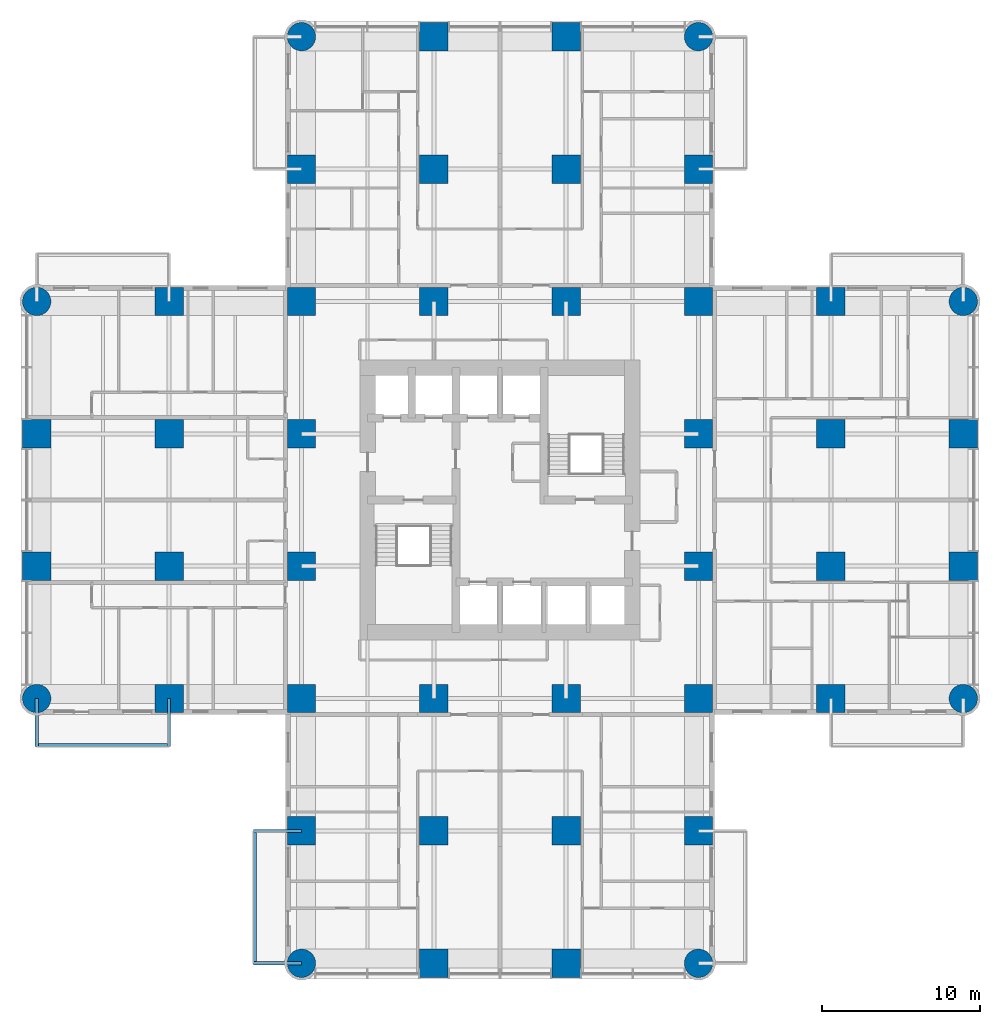
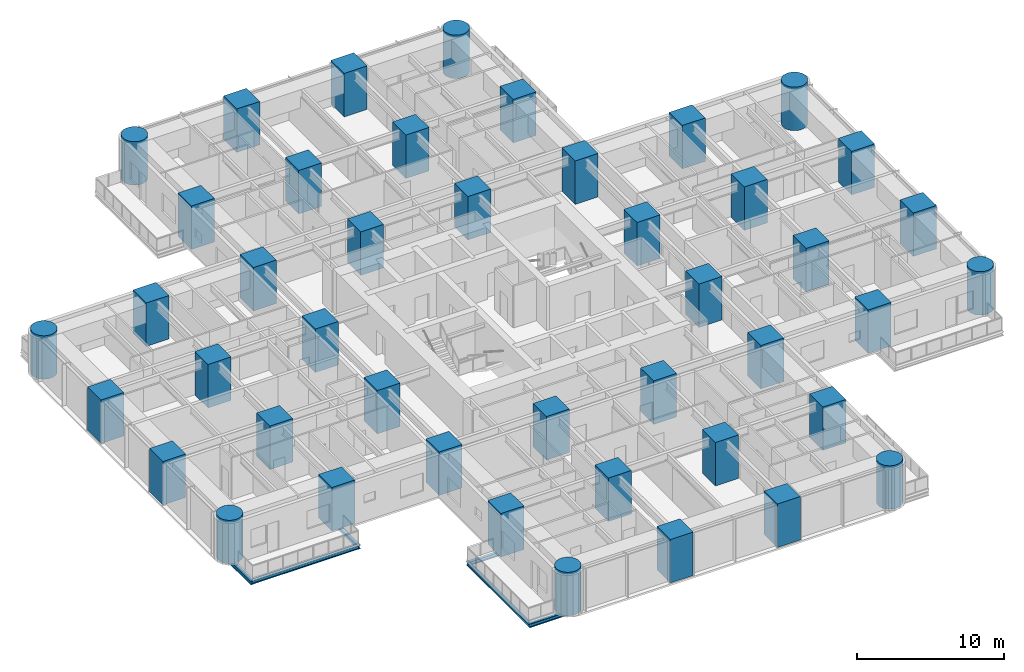
# One storey, part 1 of 17: 44 columns, 6 beams.
"""IFC4 building model written with IfcOpenShell, lengths in metres."""

from ifc_helpers import new_model, si_unit, direction, frame, origin, origin_2d, place, context, subcontext, project, spatial, rectangle, circle, i_section, extrude, material, material_profile, profile_set, type_object, element, save


model = new_model("IFC4")

# Units and contexts
model_context = context("Model", 3, precision=1e-05, world=origin(), true_north=direction((0.0, 1.0)))
body_context = subcontext(model_context, "Body", "Model", "MODEL_VIEW")
ifc_project = project(units=[si_unit("LENGTHUNIT", "METRE"), si_unit("AREAUNIT", "SQUARE_METRE"), si_unit("VOLUMEUNIT", "CUBIC_METRE"), si_unit("PLANEANGLEUNIT", "RADIAN"), si_unit("MASSUNIT", "GRAM", prefix="KILO")], contexts=[model_context])

# Site, building, storey
site_placement = place(None, origin())
site = spatial("IfcSite", under=ifc_project, at=site_placement, CompositionType="ELEMENT")
building_placement = place(site_placement, origin())
building = spatial("IfcBuilding", under=site, at=building_placement, Name="Torre Alcanfor", CompositionType="ELEMENT")
storey_placement = place(building_placement, frame((0.0, 0.0, 74.10009765625)))
storey = spatial("IfcBuildingStorey", under=building, at=storey_placement, Name="L18", CompositionType="ELEMENT", Elevation=74.10009765625)

# Columns
ifc_material_1 = material(Name="Concrete f'c 70 MPa", Category="concrete")
ifc_material_profile_1 = material_profile(ifc_material_1, rectangle(XDim=1.800048828125, YDim=1.800048828125, at=origin_2d()), Name="1800x1800")
ifc_profile_set_1 = profile_set([ifc_material_profile_1], Name="Concrete f'c 70 MPa")
column_type_1 = type_object("IfcColumnType", Name="RC column 1800x1800 f'c70", PredefinedType="COLUMN", material=ifc_profile_set_1)
for number, where, z_axis, x_axis, name in (
    (1, (0.0, 25.199951171875, 0.0), (0.0, 0.0, 1.0), (1.0, 0.0, 0.0), "Column 1/F L18"),
    (2, (0.0, 33.60009765625, 0.0), (0.0, 0.0, 1.0), (1.0, 0.0, 0.0), "Column 1/G L18"),
    (3, (8.39990234375, 16.800048828125, 0.0), (0.0, 0.0, 1.0), (1.0, 0.0, 0.0), "Column 2/E L18"),
    (4, (8.39990234375, 25.199951171875, 0.0), (0.0, 0.0, 1.0), (1.0, 0.0, 0.0), "Column 2/F L18"),
    (5, (8.39990234375, 33.60009765625, 0.0), (0.0, 0.0, 1.0), (1.0, 0.0, 0.0), "Column 2/G L18"),
    (6, (8.39990234375, 42.0, 0.0), (0.0, 0.0, 1.0), (1.0, 0.0, 0.0), "Column 2/H L18"),
    (7, (16.800048828125, 8.39990234375, 0.0), (0.0, 0.0, 1.0), (1.0, 0.0, 0.0), "Column 3/D L18"),
    (8, (16.800048828125, 16.800048828125, 0.0), (0.0, 0.0, 1.0), (1.0, 0.0, 0.0), "Column 3/E L18"),
    (9, (16.800048828125, 25.199951171875, 0.0), (0.0, 0.0, 1.0), (1.0, 0.0, 0.0), "Column 3/F L18"),
    (10, (16.800048828125, 33.60009765625, 0.0), (0.0, 0.0, 1.0), (1.0, 0.0, 0.0), "Column 3/G L18"),
    (11, (16.800048828125, 42.0, 0.0), (0.0, 0.0, 1.0), (1.0, 0.0, 0.0), "Column 3/H L18"),
    (12, (16.800048828125, 50.39990234375, 0.0), (0.0, 0.0, 1.0), (1.0, 0.0, 0.0), "Column 3/J L18"),
    (13, (25.199951171875, 0.0, 0.0), (0.0, 0.0, 1.0), (1.0, 0.0, 0.0), "Column 4/C L18"),
    (14, (25.199951171875, 8.39990234375, 0.0), (0.0, 0.0, 1.0), (1.0, 0.0, 0.0), "Column 4/D L18"),
    (15, (25.199951171875, 16.800048828125, 0.0), (0.0, 0.0, 1.0), (1.0, 0.0, 0.0), "Column 4/E L18"),
    (16, (25.199951171875, 42.0, 0.0), (0.0, 0.0, 1.0), (1.0, 0.0, 0.0), "Column 4/H L18"),
    (17, (25.199951171875, 50.39990234375, 0.0), (0.0, 0.0, 1.0), (1.0, 0.0, 0.0), "Column 4/J L18"),
    (18, (25.199951171875, 58.800048828125, 0.0), (0.0, 0.0, 1.0), (1.0, 0.0, 0.0), "Column 4/K L18"),
    (19, (33.60009765625, 0.0, 0.0), (0.0, 0.0, 1.0), (1.0, 0.0, 0.0), "Column 5/C L18"),
    (20, (33.60009765625, 8.39990234375, 0.0), (0.0, 0.0, 1.0), (1.0, 0.0, 0.0), "Column 5/D L18"),
    (21, (33.60009765625, 16.800048828125, 0.0), (0.0, 0.0, 1.0), (1.0, 0.0, 0.0), "Column 5/E L18"),
    (22, (33.60009765625, 42.0, 0.0), (0.0, 0.0, 1.0), (1.0, 0.0, 0.0), "Column 5/H L18"),
    (23, (33.60009765625, 50.39990234375, 0.0), (0.0, 0.0, 1.0), (1.0, 0.0, 0.0), "Column 5/J L18"),
    (24, (33.60009765625, 58.800048828125, 0.0), (0.0, 0.0, 1.0), (1.0, 0.0, 0.0), "Column 5/K L18"),
    (25, (42.0, 8.39990234375, 0.0), (0.0, 0.0, 1.0), (1.0, 0.0, 0.0), "Column 6/D L18"),
    (26, (42.0, 16.800048828125, 0.0), (0.0, 0.0, 1.0), (1.0, 0.0, 0.0), "Column 6/E L18"),
    (27, (42.0, 25.199951171875, 0.0), (0.0, 0.0, 1.0), (1.0, 0.0, 0.0), "Column 6/F L18"),
    (28, (42.0, 33.60009765625, 0.0), (0.0, 0.0, 1.0), (1.0, 0.0, 0.0), "Column 6/G L18"),
    (29, (42.0, 42.0, 0.0), (0.0, 0.0, 1.0), (1.0, 0.0, 0.0), "Column 6/H L18"),
    (30, (42.0, 50.39990234375, 0.0), (0.0, 0.0, 1.0), (1.0, 0.0, 0.0), "Column 6/J L18"),
    (31, (50.39990234375, 16.800048828125, 0.0), (0.0, 0.0, 1.0), (1.0, 0.0, 0.0), "Column 7/E L18"),
    (32, (50.39990234375, 25.199951171875, 0.0), (0.0, 0.0, 1.0), (1.0, 0.0, 0.0), "Column 7/F L18"),
    (33, (50.39990234375, 33.60009765625, 0.0), (0.0, 0.0, 1.0), (1.0, 0.0, 0.0), "Column 7/G L18"),
    (34, (50.39990234375, 42.0, 0.0), (0.0, 0.0, 1.0), (1.0, 0.0, 0.0), "Column 7/H L18"),
    (35, (58.800048828125, 25.199951171875, 0.0), (0.0, 0.0, 1.0), (1.0, 0.0, 0.0), "Column 8/F L18"),
    (36, (58.800048828125, 33.60009765625, 0.0), (0.0, 0.0, 1.0), (1.0, 0.0, 0.0), "Column 8/G L18"),
):
    element("IfcColumn", number, at=place(storey_placement, frame(where, z_axis=z_axis, x_axis=x_axis)), inside=storey, type_object=column_type_1, Name=name, PredefinedType="COLUMN", context=body_context, shape_type="SweptSolid", body=[
        extrude(rectangle(XDim=1.800048828125, YDim=1.800048828125, at=origin_2d()), origin(), (0.0, 0.0, 1.0), 3.599853515625),
    ])
ifc_material_2 = material(Name="Concrete f'c 70 MPa", Category="concrete")
ifc_material_profile_2 = material_profile(ifc_material_2, circle(Radius=0.89990234375, at=origin_2d()), Name="D1800")
ifc_profile_set_2 = profile_set([ifc_material_profile_2], Name="Concrete f'c 70 MPa")
column_type_2 = type_object("IfcColumnType", Name="RC column D1800 f'c70", PredefinedType="COLUMN", material=ifc_profile_set_2)
for number, where, z_axis, x_axis, name in (
    (37, (0.0, 16.800048828125, 0.0), (0.0, 0.0, 1.0), (1.0, 0.0, 0.0), "Column 1/E L18"),
    (38, (0.0, 42.0, 0.0), (0.0, 0.0, 1.0), (1.0, 0.0, 0.0), "Column 1/H L18"),
    (39, (16.800048828125, 0.0, 0.0), (0.0, 0.0, 1.0), (1.0, 0.0, 0.0), "Column 3/C L18"),
    (40, (16.800048828125, 58.800048828125, 0.0), (0.0, 0.0, 1.0), (1.0, 0.0, 0.0), "Column 3/K L18"),
    (41, (42.0, 0.0, 0.0), (0.0, 0.0, 1.0), (1.0, 0.0, 0.0), "Column 6/C L18"),
    (42, (42.0, 58.800048828125, 0.0), (0.0, 0.0, 1.0), (1.0, 0.0, 0.0), "Column 6/K L18"),
    (43, (58.800048828125, 16.800048828125, 0.0), (0.0, 0.0, 1.0), (1.0, 0.0, 0.0), "Column 8/E L18"),
    (44, (58.800048828125, 42.0, 0.0), (0.0, 0.0, 1.0), (1.0, 0.0, 0.0), "Column 8/H L18"),
):
    element("IfcColumn", number, at=place(storey_placement, frame(where, z_axis=z_axis, x_axis=x_axis)), inside=storey, type_object=column_type_2, Name=name, PredefinedType="COLUMN", context=body_context, shape_type="SweptSolid", body=[
        extrude(circle(Radius=0.89990234375, at=origin_2d()), origin(), (0.0, 0.0, 1.0), 3.599853515625),
    ])

# Beams
ifc_material_3 = material(Name="Steel ASTM A992 Grade 50", Category="steel")
ifc_material_profile_3 = material_profile(ifc_material_3, i_section(OverallWidth=0.205322265625, OverallDepth=0.309814453125, WebThickness=0.00927734375, FlangeThickness=0.016357421875, at=origin_2d()), Name="W12x50")
ifc_profile_set_3 = profile_set([ifc_material_profile_3], Name="Steel ASTM A992 Grade 50")
beam_type_1 = type_object("IfcBeamType", Name="Balcony cantilever beam W12x50", PredefinedType="BEAM", material=ifc_profile_set_3)
for number, where, z_axis, x_axis, name in (
    (45, (16.800048828125, 8.39990234375, -0.35498046875), (-1.0, 0.0, 0.0), (0.0, -1.0, 0.0), "Balcony cantilever beam L18-S2 1"),
    (46, (16.800048828125, 0.0, -0.35498046875), (-1.0, 0.0, 0.0), (0.0, -1.0, 0.0), "Balcony cantilever beam L18-S2 2"),
    (47, (8.39990234375, 16.800048828125, -0.35498046875), (0.0, -1.0, 0.0), (1.0, 0.0, 0.0), "Balcony cantilever beam L18-W1 1"),
    (48, (0.0, 16.800048828125, -0.35498046875), (0.0, -1.0, 0.0), (1.0, 0.0, 0.0), "Balcony cantilever beam L18-W1 2"),
):
    element("IfcBeam", number, at=place(storey_placement, frame(where, z_axis=z_axis, x_axis=x_axis)), inside=storey, type_object=beam_type_1, Name=name, PredefinedType="BEAM", context=body_context, shape_type="SweptSolid", body=[
        extrude(i_section(OverallWidth=0.205322265625, OverallDepth=0.309814453125, WebThickness=0.00927734375, FlangeThickness=0.016357421875, at=origin_2d()), origin(), (0.0, 0.0, 1.0), 3.050048828125),
    ])
ifc_material_4 = material(Name="Steel ASTM A992 Grade 50", Category="steel")
ifc_material_profile_4 = material_profile(ifc_material_4, i_section(OverallWidth=0.203369140625, OverallDepth=0.30224609375, WebThickness=0.007568359375, FlangeThickness=0.01318359375, at=origin_2d()), Name="W12x40")
ifc_profile_set_4 = profile_set([ifc_material_profile_4], Name="Steel ASTM A992 Grade 50")
beam_type_2 = type_object("IfcBeamType", Name="Balcony edge trimmer W12x40", PredefinedType="BEAM", material=ifc_profile_set_4)
for number, where, z_axis, x_axis, name in (
    (49, (13.851806640625, 8.39990234375, -0.351318359375), (0.0, -1.0, 0.0), (1.0, 0.0, 0.0), "Balcony edge trimmer L18-S2"),
    (50, (8.39990234375, 13.851806640625, -0.351318359375), (-1.0, 0.0, 0.0), (0.0, -1.0, 0.0), "Balcony edge trimmer L18-W1"),
):
    element("IfcBeam", number, at=place(storey_placement, frame(where, z_axis=z_axis, x_axis=x_axis)), inside=storey, type_object=beam_type_2, Name=name, PredefinedType="BEAM", context=body_context, shape_type="SweptSolid", body=[
        extrude(i_section(OverallWidth=0.203369140625, OverallDepth=0.30224609375, WebThickness=0.007568359375, FlangeThickness=0.01318359375, at=origin_2d()), origin(), (0.0, 0.0, 1.0), 8.39990234375),
    ])

save(model, "model.ifc")
